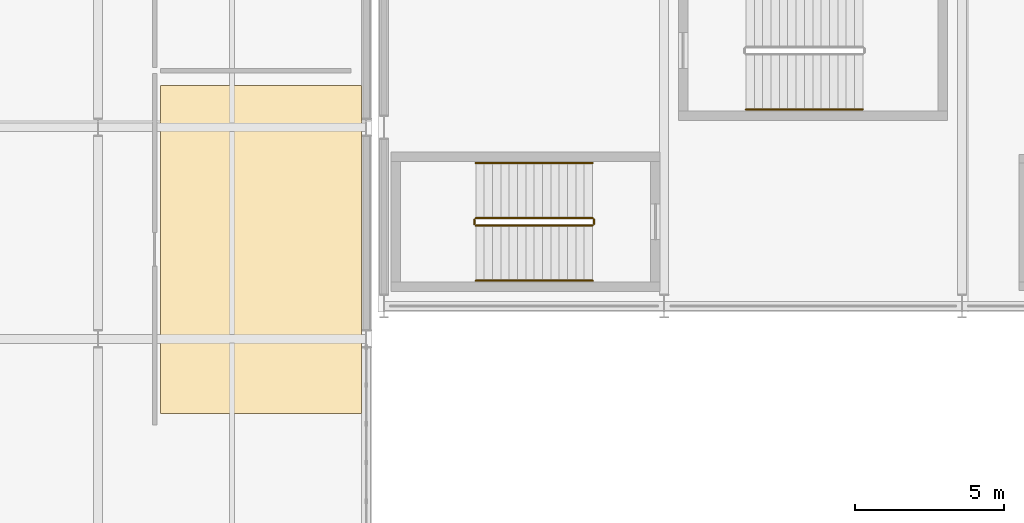
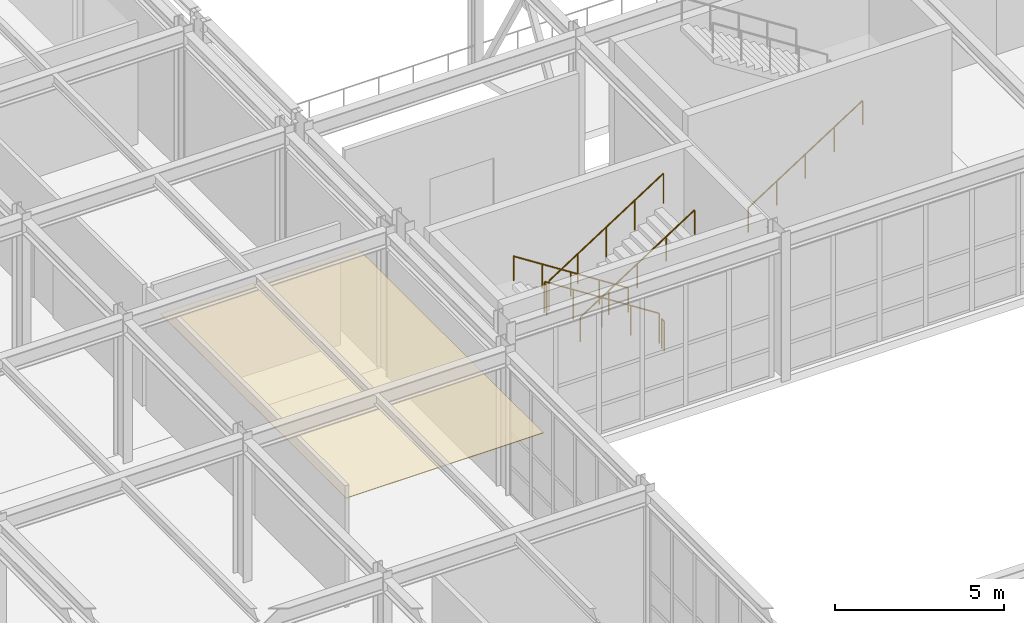
# One storey, part 206 of 210: 7 railings, 1 covering.
"""IFC4 building model written with IfcOpenShell, lengths in metres."""

from ifc_helpers import new_model, si_unit, direction, frame, origin, origin_2d, place, context, subcontext, project, spatial, polyline, circle, outline, extrude, material, layer, layer_set, type_object, element, save


model = new_model("IFC4")

# Units and contexts
model_context = context("Model", 3, precision=1e-05, world=origin(), true_north=direction((0.0, 1.0)))
body_context = subcontext(model_context, "Body", "Model", "MODEL_VIEW")
ifc_project = project(units=[si_unit("LENGTHUNIT", "METRE"), si_unit("AREAUNIT", "SQUARE_METRE"), si_unit("VOLUMEUNIT", "CUBIC_METRE"), si_unit("PLANEANGLEUNIT", "RADIAN"), si_unit("MASSUNIT", "GRAM", prefix="KILO")], contexts=[model_context])

# Site, building, storey
site_placement = place(None, origin())
site = spatial("IfcSite", under=ifc_project, at=site_placement, CompositionType="ELEMENT")
building_placement = place(site_placement, origin())
building = spatial("IfcBuilding", under=site, at=building_placement, Name="Kaldris Quays Convention Centre", CompositionType="ELEMENT")
storey_placement = place(building_placement, frame((0.0, 0.0, 6.0)))
storey = spatial("IfcBuildingStorey", under=building, at=storey_placement, Name="L01", CompositionType="ELEMENT", Elevation=6.0)

# Covering
ifc_material_1 = material(Name="Mineral fibre acoustic ceiling tile", Category="gypsum")
ifc_layer = layer(ifc_material_1, 0.02490234375)
ifc_layer_set = layer_set([ifc_layer], Name="Mineral fibre acoustic ceiling tile")
covering_type = type_object("IfcCoveringType", Name="ACOUSTIC MINERAL CEILING AC01", PredefinedType="CEILING", material=ifc_layer_set)
covering_placement = place(storey_placement, frame((0.0, 0.0, 3.60009765625)))
element("IfcCovering", 1, at=covering_placement, inside=storey, type_object=covering_type, Name="L01 Acoustic Ceiling Sail 1", PredefinedType="CEILING", context=body_context, shape_type="SweptSolid", body=[
    extrude(outline(polyline([(157.10009765625, 52.39990234375), (163.85009765625, 52.39990234375), (163.85009765625, 63.39990234375), (157.10009765625, 63.39990234375), (157.10009765625, 52.39990234375)])), origin(), (0.0, 0.0, 1.0), 0.02490234375),
])

# Railings
ifc_material_2 = material(Name="Steel S355J2", Category="steel")
railing_type_1 = type_object("IfcRailingType", Name="INTERIOR GUARDRAIL GR01", PredefinedType="GUARDRAIL", material=ifc_material_2)
railing_1_placement = place(storey_placement, frame((171.60009765625, 58.949951171875, 0.179931640625)))
element("IfcRailing", 2, at=railing_1_placement, inside=storey, type_object=railing_type_1, Name="L01 ST08 Stair Guardrail 1", PredefinedType="GUARDRAIL", context=body_context, shape_type="SweptSolid", body=[
    extrude(circle(Radius=0.02392578125, at=origin_2d()), frame((0.0, 0.0, 1.076171875), z_axis=(-0.841186985886, 0.0, 0.540744352514), x_axis=(0.0, -1.0, 0.0)), (0.0, 0.0, 1.0), 4.660400390625),
    extrude(circle(Radius=0.02099609375, at=origin_2d()), origin(), (0.0, 0.0, 1.0), 1.052001953125),
    extrude(circle(Radius=0.02099609375, at=origin_2d()), frame((-0.97998046875, 0.0, 0.6298828125)), (0.0, 0.0, 1.0), 1.052001953125),
    extrude(circle(Radius=0.02099609375, at=origin_2d()), frame((-1.9599609375, 0.0, 1.260009765625)), (0.0, 0.0, 1.0), 1.052001953125),
    extrude(circle(Radius=0.02099609375, at=origin_2d()), frame((-2.940185546875, 0.0, 1.89013671875)), (0.0, 0.0, 1.0), 1.052001953125),
    extrude(circle(Radius=0.02099609375, at=origin_2d()), frame((-3.920166015625, 0.0, 2.52001953125)), (0.0, 0.0, 1.0), 1.052001953125),
])
railing_2_placement = place(storey_placement, frame((167.6298828125, 58.89990234375, 2.699951171875)))
element("IfcRailing", 3, at=railing_2_placement, inside=storey, type_object=railing_type_1, Name="L01 ST08 Stair Guardrail 2", PredefinedType="GUARDRAIL", context=body_context, shape_type="SweptSolid", body=[
    extrude(circle(Radius=0.02392578125, at=origin_2d()), frame((0.0, 0.0, 1.076171875), z_axis=(0.0, -1.0, 0.0), x_axis=(1.0, 0.0, 0.0)), (0.0, 0.0, 1.0), 0.14990234375),
    extrude(circle(Radius=0.02099609375, at=origin_2d()), origin(), (0.0, 0.0, 1.0), 1.052001953125),
    extrude(circle(Radius=0.02099609375, at=origin_2d()), frame((0.0, -0.14990234375, 0.0)), (0.0, 0.0, 1.0), 1.052001953125),
])
railing_3_placement = place(storey_placement, frame((167.679931640625, 58.699951171875, 2.8798828125)))
element("IfcRailing", 4, at=railing_3_placement, inside=storey, type_object=railing_type_1, Name="L01 ST08 Stair Guardrail 3", PredefinedType="GUARDRAIL", context=body_context, shape_type="SweptSolid", body=[
    extrude(circle(Radius=0.02392578125, at=origin_2d()), frame((0.0, 0.0, 1.076171875), z_axis=(0.841186985886, 0.0, 0.540744352514), x_axis=(0.0, 1.0, 0.0)), (0.0, 0.0, 1.0), 4.660400390625),
    extrude(circle(Radius=0.02099609375, at=origin_2d()), origin(), (0.0, 0.0, 1.0), 1.052001953125),
    extrude(circle(Radius=0.02099609375, at=origin_2d()), frame((0.97998046875, 0.0, 0.6298828125)), (0.0, 0.0, 1.0), 1.052001953125),
    extrude(circle(Radius=0.02099609375, at=origin_2d()), frame((1.9599609375, 0.0, 1.260009765625)), (0.0, 0.0, 1.0), 1.052001953125),
    extrude(circle(Radius=0.02099609375, at=origin_2d()), frame((2.940185546875, 0.0, 1.89013671875)), (0.0, 0.0, 1.0), 1.052001953125),
    extrude(circle(Radius=0.02099609375, at=origin_2d()), frame((3.920166015625, 0.0, 2.52001953125)), (0.0, 0.0, 1.0), 1.052001953125),
])
railing_4_placement = place(storey_placement, frame((171.64990234375, 58.89990234375, 0.0)))
element("IfcRailing", 5, at=railing_4_placement, inside=storey, type_object=railing_type_1, Name="L01 ST08 Stair Guardrail 4", PredefinedType="GUARDRAIL", context=body_context, shape_type="SweptSolid", body=[
    extrude(circle(Radius=0.02392578125, at=origin_2d()), frame((0.0, 0.0, 1.076171875), z_axis=(0.0, -1.0, 0.0), x_axis=(1.0, 0.0, 0.0)), (0.0, 0.0, 1.0), 0.14990234375),
    extrude(circle(Radius=0.02099609375, at=origin_2d()), origin(), (0.0, 0.0, 1.0), 1.052001953125),
    extrude(circle(Radius=0.02099609375, at=origin_2d()), frame((0.0, -0.14990234375, 0.0)), (0.0, 0.0, 1.0), 1.052001953125),
])
ifc_material_3 = material(Name="Stainless steel 1.4301", Category="steel")
railing_type_2 = type_object("IfcRailingType", Name="STAIR HANDRAIL HR01", PredefinedType="HANDRAIL", material=ifc_material_3)
railing_5_placement = place(storey_placement, frame((171.60009765625, 60.800048828125, 0.179931640625)))
element("IfcRailing", 6, at=railing_5_placement, inside=storey, type_object=railing_type_2, Name="L01 ST08 Flight Handrail 1", PredefinedType="HANDRAIL", context=body_context, shape_type="SweptSolid", body=[
    extrude(circle(Radius=0.02392578125, at=origin_2d()), frame((0.0, 0.0, 0.8759765625), z_axis=(-0.841186985886, 0.0, 0.540744352514), x_axis=(0.0, -1.0, 0.0)), (0.0, 0.0, 1.0), 4.660400390625),
    extrude(circle(Radius=0.02099609375, at=origin_2d()), origin(), (0.0, 0.0, 1.0), 0.851806640625),
    extrude(circle(Radius=0.02099609375, at=origin_2d()), frame((-0.97998046875, 0.0, 0.6298828125)), (0.0, 0.0, 1.0), 0.851806640625),
    extrude(circle(Radius=0.02099609375, at=origin_2d()), frame((-1.9599609375, 0.0, 1.260009765625)), (0.0, 0.0, 1.0), 0.851806640625),
    extrude(circle(Radius=0.02099609375, at=origin_2d()), frame((-2.940185546875, 0.0, 1.89013671875)), (0.0, 0.0, 1.0), 0.851806640625),
    extrude(circle(Radius=0.02099609375, at=origin_2d()), frame((-3.920166015625, 0.0, 2.52001953125)), (0.0, 0.0, 1.0), 0.851806640625),
])
railing_6_placement = place(storey_placement, frame((167.679931640625, 56.85009765625, 2.8798828125)))
element("IfcRailing", 7, at=railing_6_placement, inside=storey, type_object=railing_type_2, Name="L01 ST08 Flight Handrail 2", PredefinedType="HANDRAIL", context=body_context, shape_type="SweptSolid", body=[
    extrude(circle(Radius=0.02392578125, at=origin_2d()), frame((0.0, 0.0, 0.8759765625), z_axis=(0.841186985886, 0.0, 0.540744352514), x_axis=(0.0, 1.0, 0.0)), (0.0, 0.0, 1.0), 4.660400390625),
    extrude(circle(Radius=0.02099609375, at=origin_2d()), origin(), (0.0, 0.0, 1.0), 0.851806640625),
    extrude(circle(Radius=0.02099609375, at=origin_2d()), frame((0.97998046875, 0.0, 0.6298828125)), (0.0, 0.0, 1.0), 0.851806640625),
    extrude(circle(Radius=0.02099609375, at=origin_2d()), frame((1.9599609375, 0.0, 1.260009765625)), (0.0, 0.0, 1.0), 0.851806640625),
    extrude(circle(Radius=0.02099609375, at=origin_2d()), frame((2.940185546875, 0.0, 1.89013671875)), (0.0, 0.0, 1.0), 0.851806640625),
    extrude(circle(Radius=0.02099609375, at=origin_2d()), frame((3.920166015625, 0.0, 2.52001953125)), (0.0, 0.0, 1.0), 0.851806640625),
])
railing_7_placement = place(storey_placement, frame((176.75, 62.60009765625, 0.179931640625)))
element("IfcRailing", 8, at=railing_7_placement, inside=storey, type_object=railing_type_2, Name="L01 ST10 Flight Handrail 1", PredefinedType="HANDRAIL", context=body_context, shape_type="SweptSolid", body=[
    extrude(circle(Radius=0.02392578125, at=origin_2d()), frame((0.0, 0.0, 0.8759765625), z_axis=(0.841171666519, 0.0, 0.540768182723), x_axis=(0.0, 1.0, 0.0)), (0.0, 0.0, 1.0), 4.66015625),
    extrude(circle(Radius=0.02099609375, at=origin_2d()), origin(), (0.0, 0.0, 1.0), 0.851806640625),
    extrude(circle(Radius=0.02099609375, at=origin_2d()), frame((0.97998046875, 0.0, 0.6298828125)), (0.0, 0.0, 1.0), 0.851806640625),
    extrude(circle(Radius=0.02099609375, at=origin_2d()), frame((1.9599609375, 0.0, 1.260009765625)), (0.0, 0.0, 1.0), 0.851806640625),
    extrude(circle(Radius=0.02099609375, at=origin_2d()), frame((2.93994140625, 0.0, 1.89013671875)), (0.0, 0.0, 1.0), 0.851806640625),
    extrude(circle(Radius=0.02099609375, at=origin_2d()), frame((3.919921875, 0.0, 2.52001953125)), (0.0, 0.0, 1.0), 0.851806640625),
])

save(model, "model.ifc")
